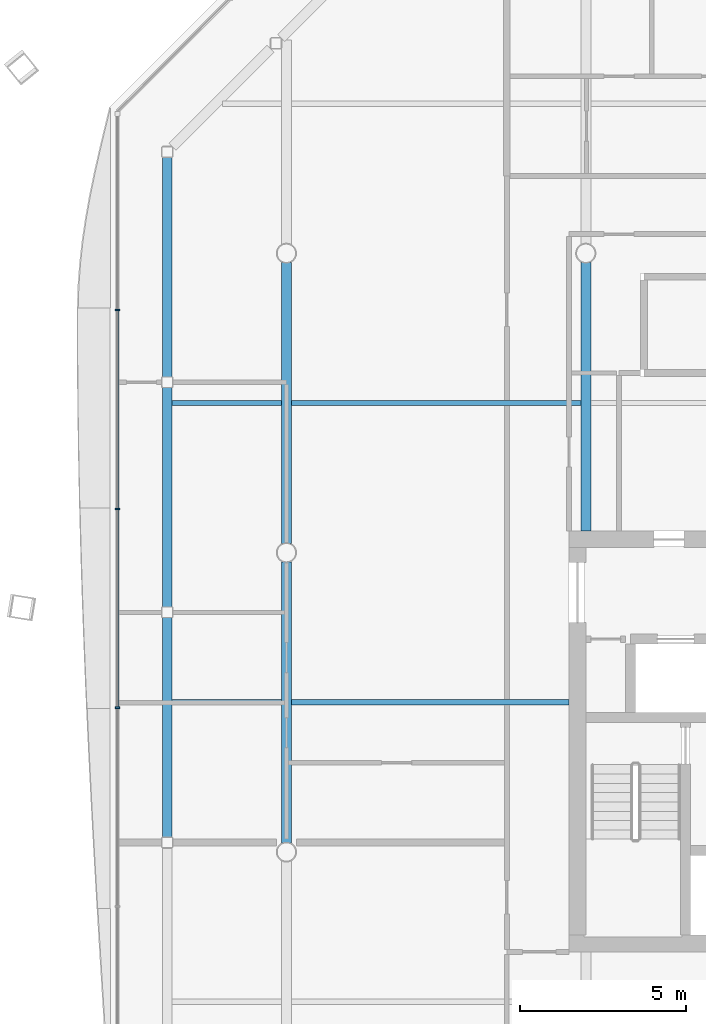
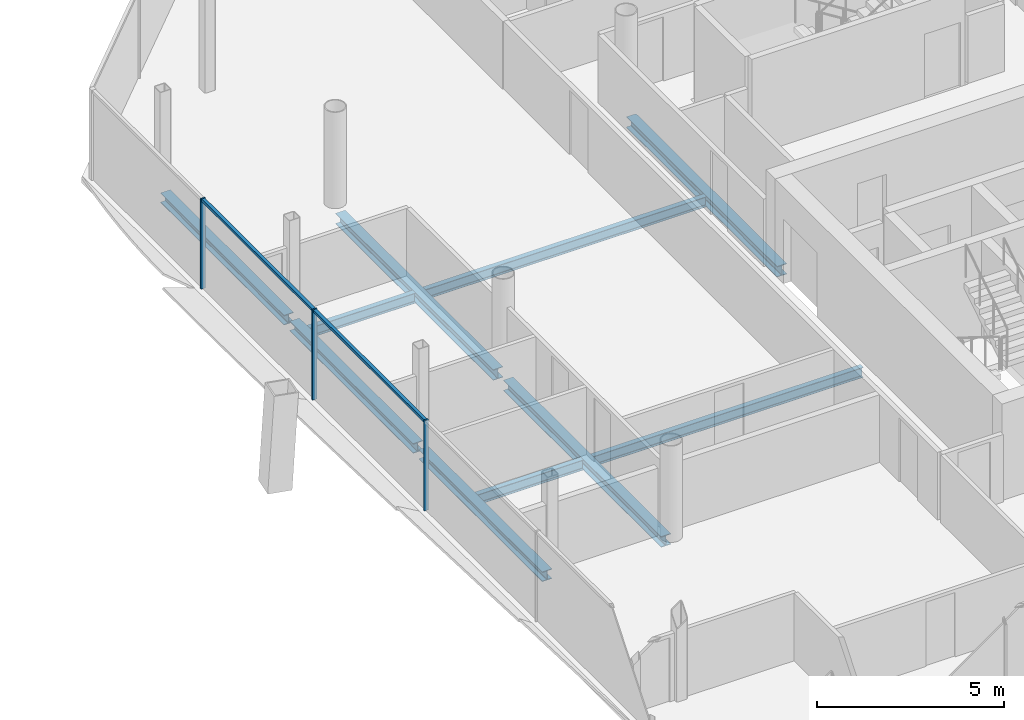
# One storey, part 6 of 20: 10 beams, 5 members, 1 element without a shape of its own.
"""IFC4 building model written with IfcOpenShell, lengths in metres."""

from ifc_helpers import new_model, si_unit, direction, frame, origin, origin_2d, place, context, subcontext, project, spatial, rectangle, i_section, extrude, material, material_profile, profile_set, type_object, element, aggregate, save


model = new_model("IFC4")

# Units and contexts
model_context = context("Model", 3, precision=1e-05, world=origin(), true_north=direction((0.0, 1.0)))
body_context = subcontext(model_context, "Body", "Model", "MODEL_VIEW")
ifc_project = project(units=[si_unit("LENGTHUNIT", "METRE"), si_unit("AREAUNIT", "SQUARE_METRE"), si_unit("VOLUMEUNIT", "CUBIC_METRE"), si_unit("PLANEANGLEUNIT", "RADIAN"), si_unit("MASSUNIT", "GRAM", prefix="KILO")], contexts=[model_context])

# Site, building, storey
site_placement = place(None, origin())
site = spatial("IfcSite", under=ifc_project, at=site_placement, CompositionType="ELEMENT")
building_placement = place(site_placement, origin())
building = spatial("IfcBuilding", under=site, at=building_placement, Name="Tskaro Facet Tower", CompositionType="ELEMENT")
storey_placement = place(building_placement, frame((0.0, 0.0, 194.25)))
storey = spatial("IfcBuildingStorey", under=building, at=storey_placement, Name="L49", CompositionType="ELEMENT", Elevation=194.25)

# Curtain wall, members
ifc_material_1 = material(Name="Bronze anodised aluminium 6063-T6", Category="aluminium")
curtain_wall_type = type_object("IfcCurtainWallType", Name="Bronze residence curtain wall (FW3)", PredefinedType="NOTDEFINED", material=ifc_material_1)
curtain_wall_placement = place(storey_placement, origin())
curtain_wall = element("IfcCurtainWall", 1, at=curtain_wall_placement, inside=storey, type_object=curtain_wall_type, Name="FW3 west facet L49", PredefinedType="NOTDEFINED")
ifc_material_profile_1 = material_profile(ifc_material_1, rectangle(XDim=0.050048828125, YDim=0.139892578125, at=origin_2d()), Name="Mullion 50x140")
ifc_profile_set_1 = profile_set([ifc_material_profile_1], Name="Bronze anodised aluminium 6063-T6")
member_type_1 = type_object("IfcMemberType", Name="FW3 bronze mullion 50x140", PredefinedType="MULLION", material=ifc_profile_set_1)
member_1_placement = place(storey_placement, frame((-23.080078125, 7.29248046875, 0.0), z_axis=(0.0, 0.0, 1.0), x_axis=(0.0, -1.0, 0.0)))
member_1 = element("IfcMember", 2, at=member_1_placement, type_object=member_type_1, Name="FW3 west mullion 1", PredefinedType="MULLION", context=body_context, shape_type="SweptSolid", body=[
    extrude(rectangle(XDim=0.050048828125, YDim=0.139892578125, at=origin_2d()), origin(), (0.0, 0.0, 1.0), 2.949951171875),
])
member_2_placement = place(storey_placement, frame((-23.080078125, 1.314697265625, 0.0), z_axis=(0.0, 0.0, 1.0), x_axis=(0.0, -1.0, 0.0)))
member_2 = element("IfcMember", 3, at=member_2_placement, type_object=member_type_1, Name="FW3 west mullion 2", PredefinedType="MULLION", context=body_context, shape_type="SweptSolid", body=[
    extrude(rectangle(XDim=0.050048828125, YDim=0.139892578125, at=origin_2d()), origin(), (0.0, 0.0, 1.0), 2.949951171875),
])
member_3_placement = place(storey_placement, frame((-23.080078125, -4.662841796875, 0.0), z_axis=(0.0, 0.0, 1.0), x_axis=(0.0, -1.0, 0.0)))
member_3 = element("IfcMember", 4, at=member_3_placement, type_object=member_type_1, Name="FW3 west mullion 3", PredefinedType="MULLION", context=body_context, shape_type="SweptSolid", body=[
    extrude(rectangle(XDim=0.050048828125, YDim=0.139892578125, at=origin_2d()), origin(), (0.0, 0.0, 1.0), 2.949951171875),
])
ifc_material_profile_2 = material_profile(ifc_material_1, rectangle(XDim=0.10009765625, YDim=0.090087890625, at=origin_2d()), Name="Transom 100x90")
ifc_profile_set_2 = profile_set([ifc_material_profile_2], Name="Bronze anodised aluminium 6063-T6")
member_type_2 = type_object("IfcMemberType", Name="FW3 bronze transom 100x90", PredefinedType="USERDEFINED", material=ifc_profile_set_2)
member_4_placement = place(storey_placement, frame((-23.080078125, 7.267333984375, 2.905029296875), z_axis=(0.0, -1.0, 0.0), x_axis=(1.0, 0.0, 0.0)))
member_4 = element("IfcMember", 5, at=member_4_placement, type_object=member_type_2, Name="FW3 west transom 2.1", ObjectType="TRANSOM", PredefinedType="USERDEFINED", context=body_context, shape_type="SweptSolid", body=[
    extrude(rectangle(XDim=0.10009765625, YDim=0.090087890625, at=origin_2d()), origin(), (0.0, 0.0, 1.0), 5.927490234375),
])
member_5_placement = place(storey_placement, frame((-23.080078125, 1.289794921875, 2.905029296875), z_axis=(0.0, -1.0, 0.0), x_axis=(1.0, 0.0, 0.0)))
member_5 = element("IfcMember", 6, at=member_5_placement, type_object=member_type_2, Name="FW3 west transom 3.1", ObjectType="TRANSOM", PredefinedType="USERDEFINED", context=body_context, shape_type="SweptSolid", body=[
    extrude(rectangle(XDim=0.10009765625, YDim=0.090087890625, at=origin_2d()), origin(), (0.0, 0.0, 1.0), 5.927490234375),
])
aggregate(curtain_wall, [member_1, member_2, member_3, member_4, member_5])

# Beams
ifc_material_2 = material(Name="Steel S355J2", Category="steel")
ifc_material_profile_3 = material_profile(ifc_material_2, i_section(OverallWidth=0.300048828125, OverallDepth=0.320068359375, WebThickness=0.011474609375, FlangeThickness=0.0205078125, FilletRadius=0.027099609375, at=origin_2d()), Name="HE 320 B")
ifc_profile_set_3 = profile_set([ifc_material_profile_3], Name="Steel S355J2")
beam_type_1 = type_object("IfcBeamType", Name="HE 320 B ring beam", PredefinedType="BEAM", material=ifc_profile_set_3)
beam_1_placement = place(storey_placement, frame((-21.5830078125, 11.89111328125, -0.300048828125), z_axis=(0.0, -1.0, 0.0), x_axis=(1.0, 0.0, 0.0)))
element("IfcBeam", 7, at=beam_1_placement, inside=storey, type_object=beam_type_1, Name="HE 320 B EB17-4", PredefinedType="BEAM", context=body_context, shape_type="SweptSolid", body=[
    extrude(i_section(OverallWidth=0.300048828125, OverallDepth=0.320068359375, WebThickness=0.011474609375, FlangeThickness=0.0205078125, FilletRadius=0.027099609375, at=origin_2d()), origin(), (0.0, 0.0, 1.0), 6.610107421875),
])
beam_2_placement = place(storey_placement, frame((-21.5830078125, 4.970947265625, -0.300048828125), z_axis=(0.0, -1.0, 0.0), x_axis=(1.0, 0.0, 0.0)))
element("IfcBeam", 8, at=beam_2_placement, inside=storey, type_object=beam_type_1, Name="HE 320 B EB18-4", PredefinedType="BEAM", context=body_context, shape_type="SweptSolid", body=[
    extrude(i_section(OverallWidth=0.300048828125, OverallDepth=0.320068359375, WebThickness=0.011474609375, FlangeThickness=0.0205078125, FilletRadius=0.027099609375, at=origin_2d()), origin(), (0.0, 0.0, 1.0), 6.60888671875),
])
beam_3_placement = place(storey_placement, frame((-21.5830078125, -1.947998046875, -0.300048828125), z_axis=(0.0, -1.0, 0.0), x_axis=(1.0, 0.0, 0.0)))
element("IfcBeam", 9, at=beam_3_placement, inside=storey, type_object=beam_type_1, Name="HE 320 B EB19-4", PredefinedType="BEAM", context=body_context, shape_type="SweptSolid", body=[
    extrude(i_section(OverallWidth=0.300048828125, OverallDepth=0.320068359375, WebThickness=0.011474609375, FlangeThickness=0.0205078125, FilletRadius=0.027099609375, at=origin_2d()), origin(), (0.0, 0.0, 1.0), 6.610107421875),
])
ifc_material_profile_4 = material_profile(ifc_material_2, i_section(OverallWidth=0.300048828125, OverallDepth=0.35009765625, WebThickness=0.010009765625, FlangeThickness=0.017578125, FilletRadius=0.027099609375, at=origin_2d()), Name="HE 360 A")
ifc_profile_set_4 = profile_set([ifc_material_profile_4], Name="Steel S355J2")
beam_type_2 = type_object("IfcBeamType", Name="HE 360 A girder", PredefinedType="BEAM", material=ifc_profile_set_4)
for number, where, z_axis, x_axis, name in (
    (10, (-18.0, -8.72509765625, -0.31494140625), (0.0, 1.0, 0.0), (-1.0, 0.0, 0.0), "HE 360 A GB2-2-4"),
    (11, (-18.0, 0.27490234375, -0.31494140625), (0.0, 1.0, 0.0), (-1.0, 0.0, 0.0), "HE 360 A GB2-3-4"),
):
    element("IfcBeam", number, at=place(storey_placement, frame(where, z_axis=z_axis, x_axis=x_axis)), inside=storey, type_object=beam_type_2, Name=name, PredefinedType="BEAM", context=body_context, shape_type="SweptSolid", body=[
        extrude(i_section(OverallWidth=0.300048828125, OverallDepth=0.35009765625, WebThickness=0.010009765625, FlangeThickness=0.017578125, FilletRadius=0.027099609375, at=origin_2d()), origin(), (0.0, 0.0, 1.0), 8.4501953125),
    ])
beam_4_placement = place(storey_placement, frame((-9.0, 0.64990234375, -0.31494140625), z_axis=(0.0, 1.0, 0.0), x_axis=(-1.0, 0.0, 0.0)))
element("IfcBeam", 12, at=beam_4_placement, inside=storey, type_object=beam_type_2, Name="HE 360 A GB3-2-4", PredefinedType="BEAM", context=body_context, shape_type="SweptSolid", body=[
    extrude(i_section(OverallWidth=0.300048828125, OverallDepth=0.35009765625, WebThickness=0.010009765625, FlangeThickness=0.017578125, FilletRadius=0.027099609375, at=origin_2d()), origin(), (0.0, 0.0, 1.0), 8.0751953125),
])
ifc_material_profile_5 = material_profile(ifc_material_2, i_section(OverallWidth=0.159912109375, OverallDepth=0.330078125, WebThickness=0.007568359375, FlangeThickness=0.011474609375, FilletRadius=0.01806640625, at=origin_2d()), Name="IPE 330")
ifc_profile_set_5 = profile_set([ifc_material_profile_5], Name="Steel S355J2")
beam_type_3 = type_object("IfcBeamType", Name="IPE 330 secondary beam", PredefinedType="BEAM", material=ifc_profile_set_5)
beam_5_placement = place(storey_placement, frame((-21.43310546875, -4.5, -0.304931640625), z_axis=(1.0, 0.0, 0.0), x_axis=(0.0, 1.0, 0.0)))
element("IfcBeam", 13, at=beam_5_placement, inside=storey, type_object=beam_type_3, Name="IPE 330 SB3a-1-4", PredefinedType="BEAM", context=body_context, shape_type="SweptSolid", body=[
    extrude(i_section(OverallWidth=0.159912109375, OverallDepth=0.330078125, WebThickness=0.007568359375, FlangeThickness=0.011474609375, FilletRadius=0.01806640625, at=origin_2d()), origin(), (0.0, 0.0, 1.0), 3.283203125),
])
beam_6_placement = place(storey_placement, frame((-17.85009765625, -4.5, -0.304931640625), z_axis=(1.0, 0.0, 0.0), x_axis=(0.0, 1.0, 0.0)))
element("IfcBeam", 14, at=beam_6_placement, inside=storey, type_object=beam_type_3, Name="IPE 330 SB3a-2-4", PredefinedType="BEAM", context=body_context, shape_type="SweptSolid", body=[
    extrude(i_section(OverallWidth=0.159912109375, OverallDepth=0.330078125, WebThickness=0.007568359375, FlangeThickness=0.011474609375, FilletRadius=0.01806640625, at=origin_2d()), origin(), (0.0, 0.0, 1.0), 8.35009765625),
])
beam_7_placement = place(storey_placement, frame((-21.43310546875, 4.5, -0.304931640625), z_axis=(1.0, 0.0, 0.0), x_axis=(0.0, 1.0, 0.0)))
element("IfcBeam", 15, at=beam_7_placement, inside=storey, type_object=beam_type_3, Name="IPE 330 SB4a-1-4", PredefinedType="BEAM", context=body_context, shape_type="SweptSolid", body=[
    extrude(i_section(OverallWidth=0.159912109375, OverallDepth=0.330078125, WebThickness=0.007568359375, FlangeThickness=0.011474609375, FilletRadius=0.01806640625, at=origin_2d()), origin(), (0.0, 0.0, 1.0), 3.283203125),
])
beam_8_placement = place(storey_placement, frame((-17.85009765625, 4.5, -0.304931640625), z_axis=(1.0, 0.0, 0.0), x_axis=(0.0, 1.0, 0.0)))
element("IfcBeam", 16, at=beam_8_placement, inside=storey, type_object=beam_type_3, Name="IPE 330 SB4a-2-4", PredefinedType="BEAM", context=body_context, shape_type="SweptSolid", body=[
    extrude(i_section(OverallWidth=0.159912109375, OverallDepth=0.330078125, WebThickness=0.007568359375, FlangeThickness=0.011474609375, FilletRadius=0.01806640625, at=origin_2d()), origin(), (0.0, 0.0, 1.0), 8.7001953125),
])

save(model, "model.ifc")
